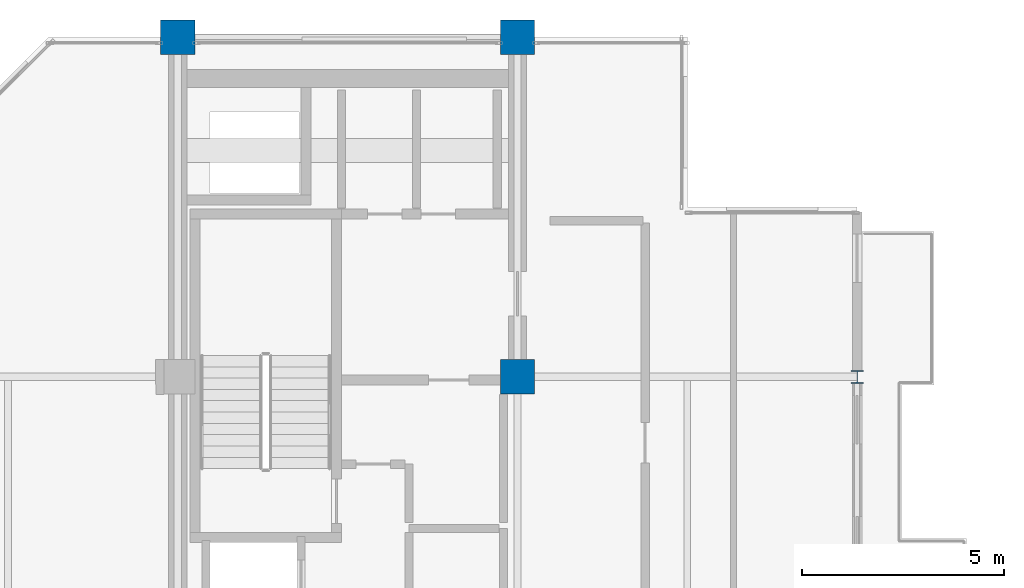
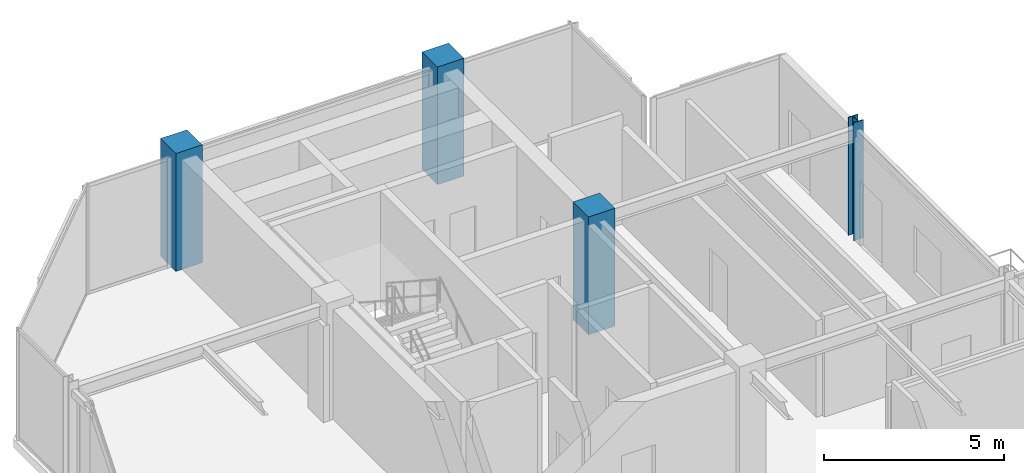
# One storey, part 2 of 24: 4 columns.
"""IFC4 building model written with IfcOpenShell, lengths in metres."""

from ifc_helpers import new_model, si_unit, direction, frame, origin, origin_2d, place, context, subcontext, project, spatial, rectangle, i_section, extrude, material, material_profile, profile_set, type_object, element, save


model = new_model("IFC4")

# Units and contexts
model_context = context("Model", 3, precision=1e-05, world=origin(), true_north=direction((0.0, 1.0)))
body_context = subcontext(model_context, "Body", "Model", "MODEL_VIEW")
ifc_project = project(units=[si_unit("LENGTHUNIT", "METRE"), si_unit("AREAUNIT", "SQUARE_METRE"), si_unit("VOLUMEUNIT", "CUBIC_METRE"), si_unit("PLANEANGLEUNIT", "RADIAN"), si_unit("MASSUNIT", "GRAM", prefix="KILO")], contexts=[model_context])

# Site, building, storey
site_placement = place(None, origin())
site = spatial("IfcSite", under=ifc_project, at=site_placement, CompositionType="ELEMENT")
building_placement = place(site_placement, origin())
building = spatial("IfcBuilding", under=site, at=building_placement, Name="Nerrivon Quay Data Exchange", CompositionType="ELEMENT")
storey_placement = place(building_placement, frame((0.0, 0.0, 298.199951171875)))
storey = spatial("IfcBuildingStorey", under=building, at=storey_placement, Name="L71", CompositionType="ELEMENT", Elevation=298.199951171875)

# Columns
ifc_material_1 = material(Name="Concrete N50 (50 MPa)", Category="concrete")
ifc_material_profile_1 = material_profile(ifc_material_1, rectangle(XDim=0.85009765625, YDim=0.85009765625, at=origin_2d()), Name="RC-COL-850x850")
ifc_profile_set_1 = profile_set([ifc_material_profile_1], Name="Concrete N50 (50 MPa)")
column_type_1 = type_object("IfcColumnType", Name="COL-C5-850", PredefinedType="COLUMN", material=ifc_profile_set_1)
for number, where, z_axis, x_axis, name in (
    (1, (8.39990234375, 42.0, 0.0), (0.0, 0.0, 1.0), (1.0, 0.0, 0.0), "L71 Column (8.4,42.0)"),
    (2, (16.800048828125, 33.60009765625, 0.0), (0.0, 0.0, 1.0), (1.0, 0.0, 0.0), "L71 Column (16.8,33.6)"),
    (3, (16.800048828125, 42.0, 0.0), (0.0, 0.0, 1.0), (1.0, 0.0, 0.0), "L71 Column (16.8,42.0)"),
):
    element("IfcColumn", number, at=place(storey_placement, frame(where, z_axis=z_axis, x_axis=x_axis)), inside=storey, type_object=column_type_1, Name=name, PredefinedType="COLUMN", context=body_context, shape_type="SweptSolid", body=[
        extrude(rectangle(XDim=0.85009765625, YDim=0.85009765625, at=origin_2d()), origin(), (0.0, 0.0, 1.0), 4.0),
    ])
ifc_material_2 = material(Name="Steel Grade 350", Category="steel")
ifc_material_profile_2 = material_profile(ifc_material_2, i_section(OverallWidth=0.31103515625, OverallDepth=0.326904296875, WebThickness=0.015625, FlangeThickness=0.02490234375, FilletRadius=0.0166015625, at=origin_2d()), Name="310UC158")
ifc_profile_set_2 = profile_set([ifc_material_profile_2], Name="Steel Grade 350")
column_type_2 = type_object("IfcColumnType", Name="COL-SC4-310UC158", PredefinedType="COLUMN", material=ifc_profile_set_2)
column_placement = place(storey_placement, frame((25.199951171875, 33.60009765625, 0.0), z_axis=(0.0, 0.0, 1.0), x_axis=(1.0, 0.0, 0.0)))
element("IfcColumn", 4, at=column_placement, inside=storey, type_object=column_type_2, Name="L71 Column (25.2,33.6)", PredefinedType="COLUMN", context=body_context, shape_type="SweptSolid", body=[
    extrude(i_section(OverallWidth=0.31103515625, OverallDepth=0.326904296875, WebThickness=0.015625, FlangeThickness=0.02490234375, FilletRadius=0.0166015625, at=origin_2d()), origin(), (0.0, 0.0, 1.0), 4.0),
])

save(model, "model.ifc")
